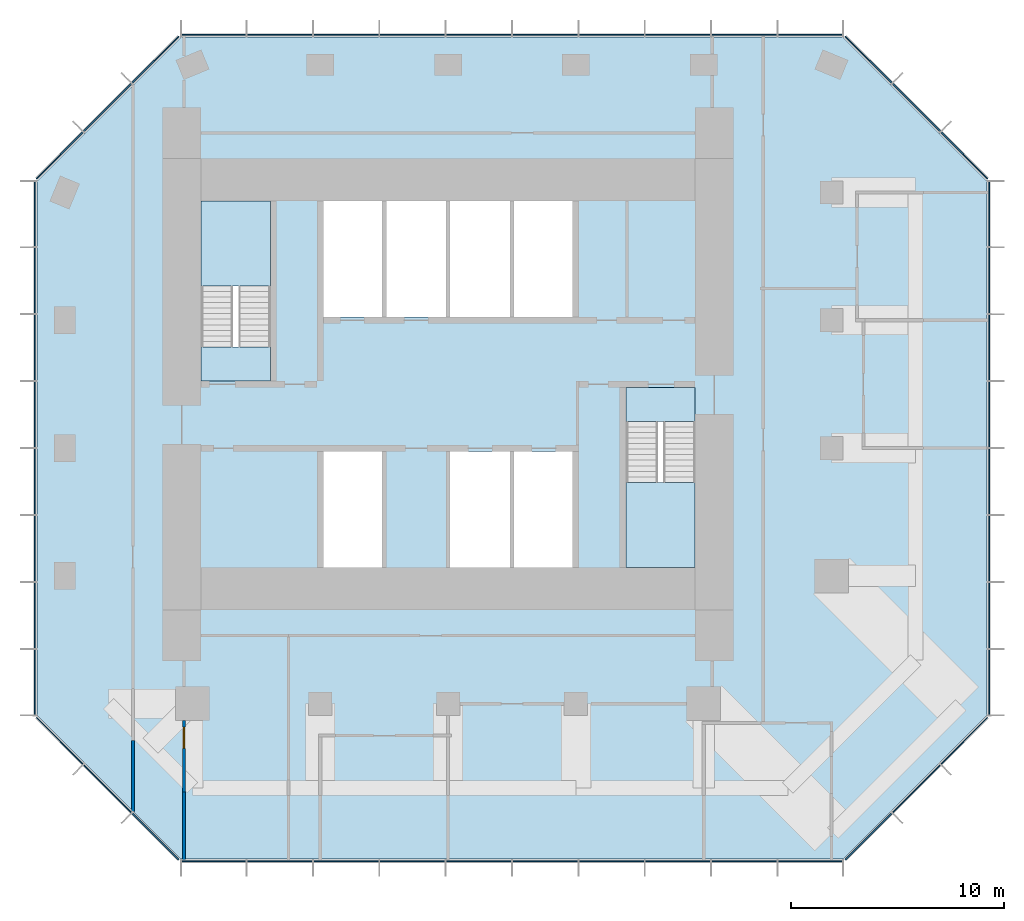
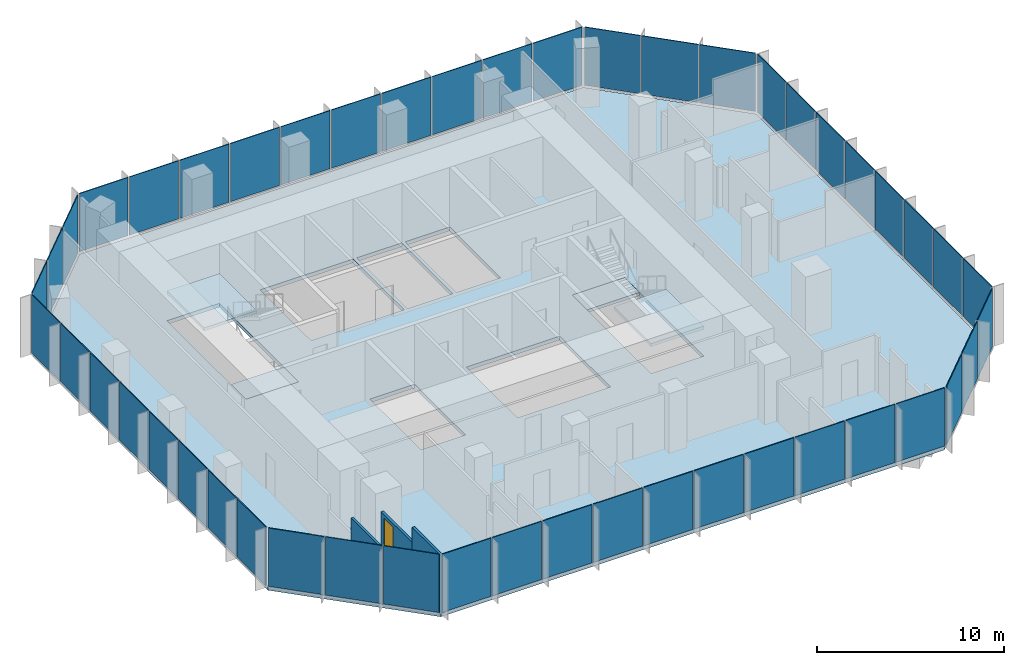
# One storey, part 7 of 11: 48 plates, 5 slabs, 3 walls, 1 door, 1 opening, 10 elements without a shape of their own.
"""IFC4 building model written with IfcOpenShell, lengths in metres."""

import ifcopenshell
import ifcopenshell.guid

model = None  # the IFC model being written
_history = None  # IfcOwnerHistory: only IFC2X3 demands one
_inside = {}  # id of a spatial element -> (the spatial element, [elements in it])
_under = {}  # id of a project, library or spatial element -> (it, [spatial elements below it])
_declared = {}  # id of a project -> (the project, [libraries it declares])
_typed = {}  # id of a type object -> (the type object, [elements of that type])
_made_of = {}  # id of a material, layer set ... -> (it, [elements and type objects made of it])


def new_model(schema):
    """Start an empty IFC model of exactly this schema.

    Asked for "IFC4X3", IfcOpenShell would pick the latest addendum, in which some entities
    have other attributes; the version numbers below select the first issue.
    IFC2X3 requires an IfcOwnerHistory on every rooted entity: one is made here for all.
    """
    global model, _history
    if schema == "IFC4X3":
        model = ifcopenshell.file(schema_version=(4, 3, 0, 0))
    else:
        model = ifcopenshell.file(schema=schema)
    _inside.clear()
    _under.clear()
    _declared.clear()
    _typed.clear()
    _made_of.clear()
    _history = None
    if model.schema == "IFC2X3":
        org = make("IfcOrganization", Name="unknown")
        user = make(
            "IfcPersonAndOrganization",
            ThePerson=make("IfcPerson", FamilyName="unknown"),
            TheOrganization=org,
        )
        app = make(
            "IfcApplication",
            ApplicationDeveloper=org,
            Version="unknown",
            ApplicationFullName="unknown",
            ApplicationIdentifier="unknown",
        )
        _history = make(
            "IfcOwnerHistory",
            OwningUser=user,
            OwningApplication=app,
            ChangeAction="ADDED",
            CreationDate=0,
        )
    return model


def make(cls, **values):
    """One entity of the class cls with the attributes given. An attribute that is None is left unset."""
    return model.create_entity(
        cls, **{name: value for name, value in values.items() if value is not None}
    )


def rooted(cls, **values):
    """An entity with a GlobalId (a new one), such as an element, a storey or a relation."""
    return make(cls, GlobalId=ifcopenshell.guid.new(), OwnerHistory=_history, **values)


def si_unit(unit_type, name, prefix=None):
    """IfcSIUnit, for example si_unit("LENGTHUNIT", "METRE", prefix="MILLI")."""
    return make("IfcSIUnit", UnitType=unit_type, Prefix=prefix, Name=name)


def assignment(units):
    """IfcUnitAssignment: the units of a project."""
    return None if units is None else make("IfcUnitAssignment", Units=units)


def point(xyz):
    """IfcCartesianPoint."""
    return None if xyz is None else make("IfcCartesianPoint", Coordinates=xyz)


def direction(xyz):
    """IfcDirection."""
    return None if xyz is None else make("IfcDirection", DirectionRatios=xyz)


def frame(location, z_axis=None, x_axis=None):
    """IfcAxis2Placement3D, a coordinate frame: its origin and axes. An axis left out is left unset."""
    return make(
        "IfcAxis2Placement3D",
        Location=point(location),
        Axis=direction(z_axis),
        RefDirection=direction(x_axis),
    )


def frame_2d(location, x_axis=None):
    """IfcAxis2Placement2D, a coordinate frame in the plane: its origin and x axis."""
    return make(
        "IfcAxis2Placement2D", Location=point(location), RefDirection=direction(x_axis)
    )


def origin():
    """The frame at (0, 0, 0) with its axes left unset."""
    return frame((0.0, 0.0, 0.0))


def origin_2d():
    """The frame at (0, 0) in the plane with its x axis left unset."""
    return frame_2d((0.0, 0.0))


def place(relative_to, where):
    """IfcLocalPlacement: puts the frame where relative to a parent placement (None: the world)."""
    return make(
        "IfcLocalPlacement", PlacementRelTo=relative_to, RelativePlacement=where
    )


def context(
    kind, dimensions, precision=None, world=None, true_north=None, identifier=None
):
    """IfcGeometricRepresentationContext, for example the 3D "Model" context."""
    return make(
        "IfcGeometricRepresentationContext",
        ContextIdentifier=identifier,
        ContextType=kind,
        CoordinateSpaceDimension=dimensions,
        Precision=precision,
        WorldCoordinateSystem=world,
        TrueNorth=true_north,
    )


def subcontext(parent, identifier, kind, view, scale=None):
    """IfcGeometricRepresentationSubContext, for example "Body" below "Model"."""
    return make(
        "IfcGeometricRepresentationSubContext",
        ContextIdentifier=identifier,
        ContextType=kind,
        ParentContext=parent,
        TargetScale=scale,
        TargetView=view,
    )


def project(units=None, contexts=None):
    """IfcProject with its units and contexts."""
    return rooted(
        "IfcProject",
        Name="project",
        RepresentationContexts=contexts,
        UnitsInContext=assignment(units),
    )


def spatial(cls, under=None, at=None, **own):
    """A site, building, storey or space (cls), placed at a placement, below another one or the project."""
    s = rooted(cls, ObjectPlacement=at, **own)
    if under is not None:
        _under.setdefault(under.id(), (under, []))[1].append(s)
    return s


def polyline(points):
    """IfcPolyline through the points."""
    return make("IfcPolyline", Points=[point(p) for p in points])


def profile(cls, at=None, kind="AREA", **sizes):
    """A parametric profile (cls). Its sizes go by their IFC names, for example OverallWidth=200.0."""
    return make(cls, ProfileType=kind, Position=at, **sizes)


def rectangle(**sizes):
    """IfcRectangleProfileDef."""
    return profile("IfcRectangleProfileDef", **sizes)


def outline(outer, holes=None, kind="AREA"):
    """IfcArbitraryClosedProfileDef: a profile drawn as a closed curve; with holes, ...WithVoids."""
    if holes is None:
        return make("IfcArbitraryClosedProfileDef", ProfileType=kind, OuterCurve=outer)
    return make(
        "IfcArbitraryProfileDefWithVoids",
        ProfileType=kind,
        OuterCurve=outer,
        InnerCurves=holes,
    )


def extrude(swept, where, along, depth):
    """IfcExtrudedAreaSolid: the profile swept, set in the frame where, extruded along a direction by depth."""
    return make(
        "IfcExtrudedAreaSolid",
        SweptArea=swept,
        Position=where,
        ExtrudedDirection=direction(along),
        Depth=depth,
    )


def shape(context_of_items, identifier, shape_type, items):
    """IfcShapeRepresentation: the items that make up one representation, for example the "Body"."""
    return make(
        "IfcShapeRepresentation",
        ContextOfItems=context_of_items,
        RepresentationIdentifier=identifier,
        RepresentationType=shape_type,
        Items=items,
    )


def material(Name=None, Category=None):
    """IfcMaterial."""
    return make("IfcMaterial", Name=Name, Category=Category)


def layer(
    of_material, thickness, ventilated=None, Name=None, Category=None, Priority=None
):
    """IfcMaterialLayer: one layer of a wall or slab, of a material (None: an air gap)."""
    return make(
        "IfcMaterialLayer",
        Material=of_material,
        LayerThickness=thickness,
        IsVentilated=ventilated,
        Name=Name,
        Category=Category,
        Priority=Priority,
    )


def layer_set(layers, Name=None):
    """IfcMaterialLayerSet."""
    return make("IfcMaterialLayerSet", MaterialLayers=layers, LayerSetName=Name)


def made_of(thing, what):
    """Note that an element or type object is made of a material, layer set ...; save() writes the relation."""
    if what is not None:
        _made_of.setdefault(what.id(), (what, []))[1].append(thing)
    return thing


def type_object(cls, material=None, **own):
    """A type object (cls), such as IfcWallType, which elements share."""
    return made_of(rooted(cls, **own), material)


def element(
    cls,
    number,
    at=None,
    inside=None,
    cuts=None,
    type_object=None,
    material=None,
    context=None,
    identifier="Body",
    shape_type=None,
    held_by="IfcProductDefinitionShape",
    body=None,
    shapes=None,
    **own,
):
    """One element of the class cls, such as IfcWall. Its Tag is "e" and its number.

    at: its placement. inside: the storey or other place that contains it. cuts: it is an
    opening in that element (IfcRelVoidsElement). A single representation is given by context,
    identifier, shape_type and body (its items); several are given by shapes. held_by: the class
    of the entity that holds the representations. save() writes the other relations.
    """
    e = rooted(cls, Tag="e%d" % number, ObjectPlacement=at, **own)
    if body is not None:
        shapes = [shape(context, identifier, shape_type, body)]
    if shapes is not None:
        e.Representation = make(held_by, Representations=shapes)
    if inside is not None:
        _inside.setdefault(inside.id(), (inside, []))[1].append(e)
    if cuts is not None:
        rooted(
            "IfcRelVoidsElement", RelatingBuildingElement=cuts, RelatedOpeningElement=e
        )
    if type_object is not None:
        _typed.setdefault(type_object.id(), (type_object, []))[1].append(e)
    return made_of(e, material)


def fill(opening, filler):
    """IfcRelFillsElement: the door or window that sits in an opening."""
    return rooted(
        "IfcRelFillsElement",
        RelatingOpeningElement=opening,
        RelatedBuildingElement=filler,
    )


def aggregate(whole, parts):
    """IfcRelAggregates: a whole, such as a stair, and the parts it consists of."""
    return rooted("IfcRelAggregates", RelatingObject=whole, RelatedObjects=parts)


def save(model, path):
    """Write the relations noted so far, then the file.

    IfcRelAggregates (storeys below a building ...), IfcRelContainedInSpatialStructure (elements
    in a storey), IfcRelDefinesByType, IfcRelAssociatesMaterial and IfcRelDeclares: one each for
    every whole, place, type object, material and project.
    """
    for whole, parts in _under.values():
        aggregate(whole, parts)
    for where, things in _inside.values():
        rooted(
            "IfcRelContainedInSpatialStructure",
            RelatedElements=things,
            RelatingStructure=where,
        )
    for kind, things in _typed.values():
        rooted("IfcRelDefinesByType", RelatedObjects=things, RelatingType=kind)
    for what, things in _made_of.values():
        rooted("IfcRelAssociatesMaterial", RelatedObjects=things, RelatingMaterial=what)
    for by, libraries in _declared.values():
        rooted("IfcRelDeclares", RelatingContext=by, RelatedDefinitions=libraries)
    model.write(path)


model = new_model("IFC4")

# Units and contexts
model_context = context("Model", 3, precision=1e-05, world=origin(), true_north=direction((0.0, 1.0)))
body_context = subcontext(model_context, "Body", "Model", "MODEL_VIEW")
ifc_project = project(units=[si_unit("LENGTHUNIT", "METRE"), si_unit("AREAUNIT", "SQUARE_METRE"), si_unit("VOLUMEUNIT", "CUBIC_METRE"), si_unit("PLANEANGLEUNIT", "RADIAN"), si_unit("MASSUNIT", "GRAM", prefix="KILO")], contexts=[model_context])

# Site, building, storey
site_placement = place(None, origin())
site = spatial("IfcSite", under=ifc_project, at=site_placement, CompositionType="ELEMENT")
building_placement = place(site_placement, origin())
building = spatial("IfcBuilding", under=site, at=building_placement, Name="Highveld Stack Headquarters", CompositionType="ELEMENT")
storey_placement = place(building_placement, frame((0.0, 0.0, 287.89990234375)))
storey = spatial("IfcBuildingStorey", under=building, at=storey_placement, Name="L71", CompositionType="ELEMENT", Elevation=287.89990234375)

# Curtain wall, plates
ifc_material_1 = material(Name="Aluminium bronze anodised", Category="aluminium")
ifc_layer_1 = layer(ifc_material_1, 0.199951171875)
ifc_layer_set_1 = layer_set([ifc_layer_1], Name="Aluminium bronze anodised")
curtain_wall_type = type_object("IfcCurtainWallType", Name="CW5 EXECUTIVE UNITISED CURTAIN WALL", PredefinedType="NOTDEFINED", material=ifc_layer_set_1)
curtain_wall_1_placement = place(storey_placement, origin())
curtain_wall_1 = element("IfcCurtainWall", 1, at=curtain_wall_1_placement, inside=storey, type_object=curtain_wall_type, Name="Curtain wall CW5 L71 S", PredefinedType="NOTDEFINED")
ifc_material_2 = material(Name="Glass bronze tinted triple glazed unit", Category="glass")
ifc_layer_2 = layer(ifc_material_2, 0.050048828125)
ifc_layer_set_2 = layer_set([ifc_layer_2], Name="Glass bronze tinted triple glazed unit")
plate_type = type_object("IfcPlateType", Name="CW5 PANEL BRONZE TINTED TRIPLE GLAZED UNIT", PredefinedType="CURTAIN_PANEL", material=ifc_layer_set_2)
plate_1_placement = place(storey_placement, frame((-5.005615234375, -19.39990234375, 0.10009765625), z_axis=(0.0, 0.0, 1.0), x_axis=(1.0, 0.0, 0.0)))
plate_1 = element("IfcPlate", 2, at=plate_1_placement, type_object=plate_type, Name="CW5 panel L71 1.1", PredefinedType="CURTAIN_PANEL", context=body_context, shape_type="SweptSolid", body=[
    extrude(rectangle(XDim=3.0185546875, YDim=0.050048828125, at=origin_2d()), origin(), (0.0, 0.0, 1.0), 3.800048828125),
])
plate_2_placement = place(storey_placement, frame((-1.906005859375, -19.39990234375, 0.10009765625), z_axis=(0.0, 0.0, 1.0), x_axis=(1.0, 0.0, 0.0)))
plate_2 = element("IfcPlate", 3, at=plate_2_placement, type_object=plate_type, Name="CW5 panel L71 2.1", PredefinedType="CURTAIN_PANEL", context=body_context, shape_type="SweptSolid", body=[
    extrude(rectangle(XDim=3.051025390625, YDim=0.050048828125, at=origin_2d()), origin(), (0.0, 0.0, 1.0), 3.800048828125),
])
plate_3_placement = place(storey_placement, frame((1.2099609375, -19.39990234375, 0.10009765625), z_axis=(0.0, 0.0, 1.0), x_axis=(1.0, 0.0, 0.0)))
plate_3 = element("IfcPlate", 4, at=plate_3_placement, type_object=plate_type, Name="CW5 panel L71 3.1", PredefinedType="CURTAIN_PANEL", context=body_context, shape_type="SweptSolid", body=[
    extrude(rectangle(XDim=3.051025390625, YDim=0.050048828125, at=origin_2d()), origin(), (0.0, 0.0, 1.0), 3.800048828125),
])
plate_4_placement = place(storey_placement, frame((4.325927734375, -19.39990234375, 0.10009765625), z_axis=(0.0, 0.0, 1.0), x_axis=(1.0, 0.0, 0.0)))
plate_4 = element("IfcPlate", 5, at=plate_4_placement, type_object=plate_type, Name="CW5 panel L71 4.1", PredefinedType="CURTAIN_PANEL", context=body_context, shape_type="SweptSolid", body=[
    extrude(rectangle(XDim=3.051025390625, YDim=0.050048828125, at=origin_2d()), origin(), (0.0, 0.0, 1.0), 3.800048828125),
])
plate_5_placement = place(storey_placement, frame((7.44189453125, -19.39990234375, 0.10009765625), z_axis=(0.0, 0.0, 1.0), x_axis=(1.0, 0.0, 0.0)))
plate_5 = element("IfcPlate", 6, at=plate_5_placement, type_object=plate_type, Name="CW5 panel L71 5.1", PredefinedType="CURTAIN_PANEL", context=body_context, shape_type="SweptSolid", body=[
    extrude(rectangle(XDim=3.051025390625, YDim=0.050048828125, at=origin_2d()), origin(), (0.0, 0.0, 1.0), 3.800048828125),
])
plate_6_placement = place(storey_placement, frame((10.55810546875, -19.39990234375, 0.10009765625), z_axis=(0.0, 0.0, 1.0), x_axis=(1.0, 0.0, 0.0)))
plate_6 = element("IfcPlate", 7, at=plate_6_placement, type_object=plate_type, Name="CW5 panel L71 6.1", PredefinedType="CURTAIN_PANEL", context=body_context, shape_type="SweptSolid", body=[
    extrude(rectangle(XDim=3.051025390625, YDim=0.050048828125, at=origin_2d()), origin(), (0.0, 0.0, 1.0), 3.800048828125),
])
plate_7_placement = place(storey_placement, frame((13.674072265625, -19.39990234375, 0.10009765625), z_axis=(0.0, 0.0, 1.0), x_axis=(1.0, 0.0, 0.0)))
plate_7 = element("IfcPlate", 8, at=plate_7_placement, type_object=plate_type, Name="CW5 panel L71 7.1", PredefinedType="CURTAIN_PANEL", context=body_context, shape_type="SweptSolid", body=[
    extrude(rectangle(XDim=3.051025390625, YDim=0.050048828125, at=origin_2d()), origin(), (0.0, 0.0, 1.0), 3.800048828125),
])
plate_8_placement = place(storey_placement, frame((16.789794921875, -19.39990234375, 0.10009765625), z_axis=(0.0, 0.0, 1.0), x_axis=(1.0, 0.0, 0.0)))
plate_8 = element("IfcPlate", 9, at=plate_8_placement, type_object=plate_type, Name="CW5 panel L71 8.1", PredefinedType="CURTAIN_PANEL", context=body_context, shape_type="SweptSolid", body=[
    extrude(rectangle(XDim=3.051025390625, YDim=0.050048828125, at=origin_2d()), origin(), (0.0, 0.0, 1.0), 3.800048828125),
])
plate_9_placement = place(storey_placement, frame((19.906005859375, -19.39990234375, 0.10009765625), z_axis=(0.0, 0.0, 1.0), x_axis=(1.0, 0.0, 0.0)))
plate_9 = element("IfcPlate", 10, at=plate_9_placement, type_object=plate_type, Name="CW5 panel L71 9.1", PredefinedType="CURTAIN_PANEL", context=body_context, shape_type="SweptSolid", body=[
    extrude(rectangle(XDim=3.051025390625, YDim=0.050048828125, at=origin_2d()), origin(), (0.0, 0.0, 1.0), 3.800048828125),
])
plate_10_placement = place(storey_placement, frame((23.005615234375, -19.39990234375, 0.10009765625), z_axis=(0.0, 0.0, 1.0), x_axis=(1.0, 0.0, 0.0)))
plate_10 = element("IfcPlate", 11, at=plate_10_placement, type_object=plate_type, Name="CW5 panel L71 10.1", PredefinedType="CURTAIN_PANEL", context=body_context, shape_type="SweptSolid", body=[
    extrude(rectangle(XDim=3.0185546875, YDim=0.050048828125, at=origin_2d()), origin(), (0.0, 0.0, 1.0), 3.800048828125),
])
aggregate(curtain_wall_1, [plate_1, plate_2, plate_3, plate_4, plate_5, plate_6, plate_7, plate_8, plate_9, plate_10])

curtain_wall_2_placement = place(storey_placement, origin())
curtain_wall_2 = element("IfcCurtainWall", 12, at=curtain_wall_2_placement, inside=storey, type_object=curtain_wall_type, Name="Curtain wall CW5 L71 SE", PredefinedType="NOTDEFINED")
plate_11_placement = place(storey_placement, frame((25.740478515625, -18.239501953125, 0.10009765625), z_axis=(0.0, 0.0, 1.0), x_axis=(0.707106781187, 0.707106781187, 0.0)))
plate_11 = element("IfcPlate", 13, at=plate_11_placement, type_object=plate_type, Name="CW5 panel L71 1.1", PredefinedType="CURTAIN_PANEL", context=body_context, shape_type="SweptSolid", body=[
    extrude(rectangle(XDim=3.08251953125, YDim=0.050048828125, at=origin_2d()), origin(), (0.0, 0.0, 1.0), 3.800048828125),
])
plate_12_placement = place(storey_placement, frame((27.989990234375, -15.989990234375, 0.10009765625), z_axis=(0.0, 0.0, 1.0), x_axis=(0.707106781187, 0.707106781187, 0.0)))
plate_12 = element("IfcPlate", 14, at=plate_12_placement, type_object=plate_type, Name="CW5 panel L71 2.1", PredefinedType="CURTAIN_PANEL", context=body_context, shape_type="SweptSolid", body=[
    extrude(rectangle(XDim=3.14990234375, YDim=0.050048828125, at=origin_2d()), origin(), (0.0, 0.0, 1.0), 3.800048828125),
])
plate_13_placement = place(storey_placement, frame((30.239501953125, -13.740478515625, 0.10009765625), z_axis=(0.0, 0.0, 1.0), x_axis=(0.707106781187, 0.707106781187, 0.0)))
plate_13 = element("IfcPlate", 15, at=plate_13_placement, type_object=plate_type, Name="CW5 panel L71 3.1", PredefinedType="CURTAIN_PANEL", context=body_context, shape_type="SweptSolid", body=[
    extrude(rectangle(XDim=3.08251953125, YDim=0.050048828125, at=origin_2d()), origin(), (0.0, 0.0, 1.0), 3.800048828125),
])
aggregate(curtain_wall_2, [plate_11, plate_12, plate_13])

curtain_wall_3_placement = place(storey_placement, origin())
curtain_wall_3 = element("IfcCurtainWall", 16, at=curtain_wall_3_placement, inside=storey, type_object=curtain_wall_type, Name="Curtain wall CW5 L71 E", PredefinedType="NOTDEFINED")
plate_14_placement = place(storey_placement, frame((31.39990234375, -10.9912109375, 0.10009765625), z_axis=(0.0, 0.0, 1.0), x_axis=(0.0, 1.0, 0.0)))
plate_14 = element("IfcPlate", 17, at=plate_14_placement, type_object=plate_type, Name="CW5 panel L71 1.1", PredefinedType="CURTAIN_PANEL", context=body_context, shape_type="SweptSolid", body=[
    extrude(rectangle(XDim=3.047607421875, YDim=0.050048828125, at=origin_2d()), origin(), (0.0, 0.0, 1.0), 3.800048828125),
])
plate_15_placement = place(storey_placement, frame((31.39990234375, -7.8623046875, 0.10009765625), z_axis=(0.0, 0.0, 1.0), x_axis=(0.0, 1.0, 0.0)))
plate_15 = element("IfcPlate", 18, at=plate_15_placement, type_object=plate_type, Name="CW5 panel L71 2.1", PredefinedType="CURTAIN_PANEL", context=body_context, shape_type="SweptSolid", body=[
    extrude(rectangle(XDim=3.080078125, YDim=0.050048828125, at=origin_2d()), origin(), (0.0, 0.0, 1.0), 3.800048828125),
])
plate_16_placement = place(storey_placement, frame((31.39990234375, -4.717529296875, 0.10009765625), z_axis=(0.0, 0.0, 1.0), x_axis=(0.0, 1.0, 0.0)))
plate_16 = element("IfcPlate", 19, at=plate_16_placement, type_object=plate_type, Name="CW5 panel L71 3.1", PredefinedType="CURTAIN_PANEL", context=body_context, shape_type="SweptSolid", body=[
    extrude(rectangle(XDim=3.080078125, YDim=0.050048828125, at=origin_2d()), origin(), (0.0, 0.0, 1.0), 3.800048828125),
])
plate_17_placement = place(storey_placement, frame((31.39990234375, -1.572509765625, 0.10009765625), z_axis=(0.0, 0.0, 1.0), x_axis=(0.0, 1.0, 0.0)))
plate_17 = element("IfcPlate", 20, at=plate_17_placement, type_object=plate_type, Name="CW5 panel L71 4.1", PredefinedType="CURTAIN_PANEL", context=body_context, shape_type="SweptSolid", body=[
    extrude(rectangle(XDim=3.080078125, YDim=0.050048828125, at=origin_2d()), origin(), (0.0, 0.0, 1.0), 3.800048828125),
])
plate_18_placement = place(storey_placement, frame((31.39990234375, 1.572509765625, 0.10009765625), z_axis=(0.0, 0.0, 1.0), x_axis=(0.0, 1.0, 0.0)))
plate_18 = element("IfcPlate", 21, at=plate_18_placement, type_object=plate_type, Name="CW5 panel L71 5.1", PredefinedType="CURTAIN_PANEL", context=body_context, shape_type="SweptSolid", body=[
    extrude(rectangle(XDim=3.080078125, YDim=0.050048828125, at=origin_2d()), origin(), (0.0, 0.0, 1.0), 3.800048828125),
])
plate_19_placement = place(storey_placement, frame((31.39990234375, 4.717529296875, 0.10009765625), z_axis=(0.0, 0.0, 1.0), x_axis=(0.0, 1.0, 0.0)))
plate_19 = element("IfcPlate", 22, at=plate_19_placement, type_object=plate_type, Name="CW5 panel L71 6.1", PredefinedType="CURTAIN_PANEL", context=body_context, shape_type="SweptSolid", body=[
    extrude(rectangle(XDim=3.080078125, YDim=0.050048828125, at=origin_2d()), origin(), (0.0, 0.0, 1.0), 3.800048828125),
])
plate_20_placement = place(storey_placement, frame((31.39990234375, 7.8623046875, 0.10009765625), z_axis=(0.0, 0.0, 1.0), x_axis=(0.0, 1.0, 0.0)))
plate_20 = element("IfcPlate", 23, at=plate_20_placement, type_object=plate_type, Name="CW5 panel L71 7.1", PredefinedType="CURTAIN_PANEL", context=body_context, shape_type="SweptSolid", body=[
    extrude(rectangle(XDim=3.080078125, YDim=0.050048828125, at=origin_2d()), origin(), (0.0, 0.0, 1.0), 3.800048828125),
])
plate_21_placement = place(storey_placement, frame((31.39990234375, 10.9912109375, 0.10009765625), z_axis=(0.0, 0.0, 1.0), x_axis=(0.0, 1.0, 0.0)))
plate_21 = element("IfcPlate", 24, at=plate_21_placement, type_object=plate_type, Name="CW5 panel L71 8.1", PredefinedType="CURTAIN_PANEL", context=body_context, shape_type="SweptSolid", body=[
    extrude(rectangle(XDim=3.047607421875, YDim=0.050048828125, at=origin_2d()), origin(), (0.0, 0.0, 1.0), 3.800048828125),
])
aggregate(curtain_wall_3, [plate_14, plate_15, plate_16, plate_17, plate_18, plate_19, plate_20, plate_21])

curtain_wall_4_placement = place(storey_placement, origin())
curtain_wall_4 = element("IfcCurtainWall", 25, at=curtain_wall_4_placement, inside=storey, type_object=curtain_wall_type, Name="Curtain wall CW5 L71 NE", PredefinedType="NOTDEFINED")
plate_22_placement = place(storey_placement, frame((30.239501953125, 13.740478515625, 0.10009765625), z_axis=(0.0, 0.0, 1.0), x_axis=(-0.707106781187, 0.707106781187, 0.0)))
plate_22 = element("IfcPlate", 26, at=plate_22_placement, type_object=plate_type, Name="CW5 panel L71 1.1", PredefinedType="CURTAIN_PANEL", context=body_context, shape_type="SweptSolid", body=[
    extrude(rectangle(XDim=3.08251953125, YDim=0.050048828125, at=origin_2d()), origin(), (0.0, 0.0, 1.0), 3.800048828125),
])
plate_23_placement = place(storey_placement, frame((27.989990234375, 15.989990234375, 0.10009765625), z_axis=(0.0, 0.0, 1.0), x_axis=(-0.707106781187, 0.707106781187, 0.0)))
plate_23 = element("IfcPlate", 27, at=plate_23_placement, type_object=plate_type, Name="CW5 panel L71 2.1", PredefinedType="CURTAIN_PANEL", context=body_context, shape_type="SweptSolid", body=[
    extrude(rectangle(XDim=3.14990234375, YDim=0.050048828125, at=origin_2d()), origin(), (0.0, 0.0, 1.0), 3.800048828125),
])
plate_24_placement = place(storey_placement, frame((25.740478515625, 18.239501953125, 0.10009765625), z_axis=(0.0, 0.0, 1.0), x_axis=(-0.707106781187, 0.707106781187, 0.0)))
plate_24 = element("IfcPlate", 28, at=plate_24_placement, type_object=plate_type, Name="CW5 panel L71 3.1", PredefinedType="CURTAIN_PANEL", context=body_context, shape_type="SweptSolid", body=[
    extrude(rectangle(XDim=3.08251953125, YDim=0.050048828125, at=origin_2d()), origin(), (0.0, 0.0, 1.0), 3.800048828125),
])
aggregate(curtain_wall_4, [plate_22, plate_23, plate_24])

curtain_wall_5_placement = place(storey_placement, origin())
curtain_wall_5 = element("IfcCurtainWall", 29, at=curtain_wall_5_placement, inside=storey, type_object=curtain_wall_type, Name="Curtain wall CW5 L71 N", PredefinedType="NOTDEFINED")
plate_25_placement = place(storey_placement, frame((23.005615234375, 19.39990234375, 0.10009765625), z_axis=(0.0, 0.0, 1.0), x_axis=(-1.0, 0.0, 0.0)))
plate_25 = element("IfcPlate", 30, at=plate_25_placement, type_object=plate_type, Name="CW5 panel L71 1.1", PredefinedType="CURTAIN_PANEL", context=body_context, shape_type="SweptSolid", body=[
    extrude(rectangle(XDim=3.0185546875, YDim=0.050048828125, at=origin_2d()), origin(), (0.0, 0.0, 1.0), 3.800048828125),
])
plate_26_placement = place(storey_placement, frame((19.906005859375, 19.39990234375, 0.10009765625), z_axis=(0.0, 0.0, 1.0), x_axis=(-1.0, 0.0, 0.0)))
plate_26 = element("IfcPlate", 31, at=plate_26_placement, type_object=plate_type, Name="CW5 panel L71 2.1", PredefinedType="CURTAIN_PANEL", context=body_context, shape_type="SweptSolid", body=[
    extrude(rectangle(XDim=3.051025390625, YDim=0.050048828125, at=origin_2d()), origin(), (0.0, 0.0, 1.0), 3.800048828125),
])
plate_27_placement = place(storey_placement, frame((16.7900390625, 19.39990234375, 0.10009765625), z_axis=(0.0, 0.0, 1.0), x_axis=(-1.0, 0.0, 0.0)))
plate_27 = element("IfcPlate", 32, at=plate_27_placement, type_object=plate_type, Name="CW5 panel L71 3.1", PredefinedType="CURTAIN_PANEL", context=body_context, shape_type="SweptSolid", body=[
    extrude(rectangle(XDim=3.051025390625, YDim=0.050048828125, at=origin_2d()), origin(), (0.0, 0.0, 1.0), 3.800048828125),
])
plate_28_placement = place(storey_placement, frame((13.674072265625, 19.39990234375, 0.10009765625), z_axis=(0.0, 0.0, 1.0), x_axis=(-1.0, 0.0, 0.0)))
plate_28 = element("IfcPlate", 33, at=plate_28_placement, type_object=plate_type, Name="CW5 panel L71 4.1", PredefinedType="CURTAIN_PANEL", context=body_context, shape_type="SweptSolid", body=[
    extrude(rectangle(XDim=3.051025390625, YDim=0.050048828125, at=origin_2d()), origin(), (0.0, 0.0, 1.0), 3.800048828125),
])
plate_29_placement = place(storey_placement, frame((10.55810546875, 19.39990234375, 0.10009765625), z_axis=(0.0, 0.0, 1.0), x_axis=(-1.0, 0.0, 0.0)))
plate_29 = element("IfcPlate", 34, at=plate_29_placement, type_object=plate_type, Name="CW5 panel L71 5.1", PredefinedType="CURTAIN_PANEL", context=body_context, shape_type="SweptSolid", body=[
    extrude(rectangle(XDim=3.051025390625, YDim=0.050048828125, at=origin_2d()), origin(), (0.0, 0.0, 1.0), 3.800048828125),
])
plate_30_placement = place(storey_placement, frame((7.44189453125, 19.39990234375, 0.10009765625), z_axis=(0.0, 0.0, 1.0), x_axis=(-1.0, 0.0, 0.0)))
plate_30 = element("IfcPlate", 35, at=plate_30_placement, type_object=plate_type, Name="CW5 panel L71 6.1", PredefinedType="CURTAIN_PANEL", context=body_context, shape_type="SweptSolid", body=[
    extrude(rectangle(XDim=3.051025390625, YDim=0.050048828125, at=origin_2d()), origin(), (0.0, 0.0, 1.0), 3.800048828125),
])
plate_31_placement = place(storey_placement, frame((4.325927734375, 19.39990234375, 0.10009765625), z_axis=(0.0, 0.0, 1.0), x_axis=(-1.0, 0.0, 0.0)))
plate_31 = element("IfcPlate", 36, at=plate_31_placement, type_object=plate_type, Name="CW5 panel L71 7.1", PredefinedType="CURTAIN_PANEL", context=body_context, shape_type="SweptSolid", body=[
    extrude(rectangle(XDim=3.051025390625, YDim=0.050048828125, at=origin_2d()), origin(), (0.0, 0.0, 1.0), 3.800048828125),
])
plate_32_placement = place(storey_placement, frame((1.210205078125, 19.39990234375, 0.10009765625), z_axis=(0.0, 0.0, 1.0), x_axis=(-1.0, 0.0, 0.0)))
plate_32 = element("IfcPlate", 37, at=plate_32_placement, type_object=plate_type, Name="CW5 panel L71 8.1", PredefinedType="CURTAIN_PANEL", context=body_context, shape_type="SweptSolid", body=[
    extrude(rectangle(XDim=3.051025390625, YDim=0.050048828125, at=origin_2d()), origin(), (0.0, 0.0, 1.0), 3.800048828125),
])
plate_33_placement = place(storey_placement, frame((-1.906005859375, 19.39990234375, 0.10009765625), z_axis=(0.0, 0.0, 1.0), x_axis=(-1.0, 0.0, 0.0)))
plate_33 = element("IfcPlate", 38, at=plate_33_placement, type_object=plate_type, Name="CW5 panel L71 9.1", PredefinedType="CURTAIN_PANEL", context=body_context, shape_type="SweptSolid", body=[
    extrude(rectangle(XDim=3.051025390625, YDim=0.050048828125, at=origin_2d()), origin(), (0.0, 0.0, 1.0), 3.800048828125),
])
plate_34_placement = place(storey_placement, frame((-5.005615234375, 19.39990234375, 0.10009765625), z_axis=(0.0, 0.0, 1.0), x_axis=(-1.0, 0.0, 0.0)))
plate_34 = element("IfcPlate", 39, at=plate_34_placement, type_object=plate_type, Name="CW5 panel L71 10.1", PredefinedType="CURTAIN_PANEL", context=body_context, shape_type="SweptSolid", body=[
    extrude(rectangle(XDim=3.0185546875, YDim=0.050048828125, at=origin_2d()), origin(), (0.0, 0.0, 1.0), 3.800048828125),
])
aggregate(curtain_wall_5, [plate_25, plate_26, plate_27, plate_28, plate_29, plate_30, plate_31, plate_32, plate_33, plate_34])

curtain_wall_6_placement = place(storey_placement, origin())
curtain_wall_6 = element("IfcCurtainWall", 40, at=curtain_wall_6_placement, inside=storey, type_object=curtain_wall_type, Name="Curtain wall CW5 L71 NW", PredefinedType="NOTDEFINED")
plate_35_placement = place(storey_placement, frame((-7.740478515625, 18.239501953125, 0.10009765625), z_axis=(0.0, 0.0, 1.0), x_axis=(-0.707106781187, -0.707106781187, 0.0)))
plate_35 = element("IfcPlate", 41, at=plate_35_placement, type_object=plate_type, Name="CW5 panel L71 1.1", PredefinedType="CURTAIN_PANEL", context=body_context, shape_type="SweptSolid", body=[
    extrude(rectangle(XDim=3.08251953125, YDim=0.050048828125, at=origin_2d()), origin(), (0.0, 0.0, 1.0), 3.800048828125),
])
plate_36_placement = place(storey_placement, frame((-9.989990234375, 15.989990234375, 0.10009765625), z_axis=(0.0, 0.0, 1.0), x_axis=(-0.707106781187, -0.707106781187, 0.0)))
plate_36 = element("IfcPlate", 42, at=plate_36_placement, type_object=plate_type, Name="CW5 panel L71 2.1", PredefinedType="CURTAIN_PANEL", context=body_context, shape_type="SweptSolid", body=[
    extrude(rectangle(XDim=3.14990234375, YDim=0.050048828125, at=origin_2d()), origin(), (0.0, 0.0, 1.0), 3.800048828125),
])
plate_37_placement = place(storey_placement, frame((-12.239501953125, 13.740478515625, 0.10009765625), z_axis=(0.0, 0.0, 1.0), x_axis=(-0.707106781187, -0.707106781187, 0.0)))
plate_37 = element("IfcPlate", 43, at=plate_37_placement, type_object=plate_type, Name="CW5 panel L71 3.1", PredefinedType="CURTAIN_PANEL", context=body_context, shape_type="SweptSolid", body=[
    extrude(rectangle(XDim=3.08251953125, YDim=0.050048828125, at=origin_2d()), origin(), (0.0, 0.0, 1.0), 3.800048828125),
])
aggregate(curtain_wall_6, [plate_35, plate_36, plate_37])

curtain_wall_7_placement = place(storey_placement, origin())
curtain_wall_7 = element("IfcCurtainWall", 44, at=curtain_wall_7_placement, inside=storey, type_object=curtain_wall_type, Name="Curtain wall CW5 L71 W", PredefinedType="NOTDEFINED")
plate_38_placement = place(storey_placement, frame((-13.39990234375, 10.9912109375, 0.10009765625), z_axis=(0.0, 0.0, 1.0), x_axis=(0.0, -1.0, 0.0)))
plate_38 = element("IfcPlate", 45, at=plate_38_placement, type_object=plate_type, Name="CW5 panel L71 1.1", PredefinedType="CURTAIN_PANEL", context=body_context, shape_type="SweptSolid", body=[
    extrude(rectangle(XDim=3.047607421875, YDim=0.050048828125, at=origin_2d()), origin(), (0.0, 0.0, 1.0), 3.800048828125),
])
plate_39_placement = place(storey_placement, frame((-13.39990234375, 7.8623046875, 0.10009765625), z_axis=(0.0, 0.0, 1.0), x_axis=(0.0, -1.0, 0.0)))
plate_39 = element("IfcPlate", 46, at=plate_39_placement, type_object=plate_type, Name="CW5 panel L71 2.1", PredefinedType="CURTAIN_PANEL", context=body_context, shape_type="SweptSolid", body=[
    extrude(rectangle(XDim=3.080078125, YDim=0.050048828125, at=origin_2d()), origin(), (0.0, 0.0, 1.0), 3.800048828125),
])
plate_40_placement = place(storey_placement, frame((-13.39990234375, 4.717529296875, 0.10009765625), z_axis=(0.0, 0.0, 1.0), x_axis=(0.0, -1.0, 0.0)))
plate_40 = element("IfcPlate", 47, at=plate_40_placement, type_object=plate_type, Name="CW5 panel L71 3.1", PredefinedType="CURTAIN_PANEL", context=body_context, shape_type="SweptSolid", body=[
    extrude(rectangle(XDim=3.080078125, YDim=0.050048828125, at=origin_2d()), origin(), (0.0, 0.0, 1.0), 3.800048828125),
])
plate_41_placement = place(storey_placement, frame((-13.39990234375, 1.572509765625, 0.10009765625), z_axis=(0.0, 0.0, 1.0), x_axis=(0.0, -1.0, 0.0)))
plate_41 = element("IfcPlate", 48, at=plate_41_placement, type_object=plate_type, Name="CW5 panel L71 4.1", PredefinedType="CURTAIN_PANEL", context=body_context, shape_type="SweptSolid", body=[
    extrude(rectangle(XDim=3.080078125, YDim=0.050048828125, at=origin_2d()), origin(), (0.0, 0.0, 1.0), 3.800048828125),
])
plate_42_placement = place(storey_placement, frame((-13.39990234375, -1.572509765625, 0.10009765625), z_axis=(0.0, 0.0, 1.0), x_axis=(0.0, -1.0, 0.0)))
plate_42 = element("IfcPlate", 49, at=plate_42_placement, type_object=plate_type, Name="CW5 panel L71 5.1", PredefinedType="CURTAIN_PANEL", context=body_context, shape_type="SweptSolid", body=[
    extrude(rectangle(XDim=3.080078125, YDim=0.050048828125, at=origin_2d()), origin(), (0.0, 0.0, 1.0), 3.800048828125),
])
plate_43_placement = place(storey_placement, frame((-13.39990234375, -4.717529296875, 0.10009765625), z_axis=(0.0, 0.0, 1.0), x_axis=(0.0, -1.0, 0.0)))
plate_43 = element("IfcPlate", 50, at=plate_43_placement, type_object=plate_type, Name="CW5 panel L71 6.1", PredefinedType="CURTAIN_PANEL", context=body_context, shape_type="SweptSolid", body=[
    extrude(rectangle(XDim=3.080078125, YDim=0.050048828125, at=origin_2d()), origin(), (0.0, 0.0, 1.0), 3.800048828125),
])
plate_44_placement = place(storey_placement, frame((-13.39990234375, -7.8623046875, 0.10009765625), z_axis=(0.0, 0.0, 1.0), x_axis=(0.0, -1.0, 0.0)))
plate_44 = element("IfcPlate", 51, at=plate_44_placement, type_object=plate_type, Name="CW5 panel L71 7.1", PredefinedType="CURTAIN_PANEL", context=body_context, shape_type="SweptSolid", body=[
    extrude(rectangle(XDim=3.080078125, YDim=0.050048828125, at=origin_2d()), origin(), (0.0, 0.0, 1.0), 3.800048828125),
])
plate_45_placement = place(storey_placement, frame((-13.39990234375, -10.9912109375, 0.10009765625), z_axis=(0.0, 0.0, 1.0), x_axis=(0.0, -1.0, 0.0)))
plate_45 = element("IfcPlate", 52, at=plate_45_placement, type_object=plate_type, Name="CW5 panel L71 8.1", PredefinedType="CURTAIN_PANEL", context=body_context, shape_type="SweptSolid", body=[
    extrude(rectangle(XDim=3.047607421875, YDim=0.050048828125, at=origin_2d()), origin(), (0.0, 0.0, 1.0), 3.800048828125),
])
aggregate(curtain_wall_7, [plate_38, plate_39, plate_40, plate_41, plate_42, plate_43, plate_44, plate_45])

curtain_wall_8_placement = place(storey_placement, origin())
curtain_wall_8 = element("IfcCurtainWall", 53, at=curtain_wall_8_placement, inside=storey, type_object=curtain_wall_type, Name="Curtain wall CW5 L71 SW", PredefinedType="NOTDEFINED")
plate_46_placement = place(storey_placement, frame((-12.239501953125, -13.740478515625, 0.10009765625), z_axis=(0.0, 0.0, 1.0), x_axis=(0.707106781187, -0.707106781187, 0.0)))
plate_46 = element("IfcPlate", 54, at=plate_46_placement, type_object=plate_type, Name="CW5 panel L71 1.1", PredefinedType="CURTAIN_PANEL", context=body_context, shape_type="SweptSolid", body=[
    extrude(rectangle(XDim=3.08251953125, YDim=0.050048828125, at=origin_2d()), origin(), (0.0, 0.0, 1.0), 3.800048828125),
])
plate_47_placement = place(storey_placement, frame((-9.989990234375, -15.989990234375, 0.10009765625), z_axis=(0.0, 0.0, 1.0), x_axis=(0.707106781187, -0.707106781187, 0.0)))
plate_47 = element("IfcPlate", 55, at=plate_47_placement, type_object=plate_type, Name="CW5 panel L71 2.1", PredefinedType="CURTAIN_PANEL", context=body_context, shape_type="SweptSolid", body=[
    extrude(rectangle(XDim=3.14990234375, YDim=0.050048828125, at=origin_2d()), origin(), (0.0, 0.0, 1.0), 3.800048828125),
])
plate_48_placement = place(storey_placement, frame((-7.740478515625, -18.239501953125, 0.10009765625), z_axis=(0.0, 0.0, 1.0), x_axis=(0.707106781187, -0.707106781187, 0.0)))
plate_48 = element("IfcPlate", 56, at=plate_48_placement, type_object=plate_type, Name="CW5 panel L71 3.1", PredefinedType="CURTAIN_PANEL", context=body_context, shape_type="SweptSolid", body=[
    extrude(rectangle(XDim=3.08251953125, YDim=0.050048828125, at=origin_2d()), origin(), (0.0, 0.0, 1.0), 3.800048828125),
])
aggregate(curtain_wall_8, [plate_46, plate_47, plate_48])

# Slab
ifc_material_3 = material(Name="Concrete C60/75", Category="concrete")
ifc_layer_3 = layer(ifc_material_3, 0.25)
ifc_layer_set_3 = layer_set([ifc_layer_3], Name="Concrete C60/75")
slab_type_1 = type_object("IfcSlabType", Name="PT FLAT SLAB 250", PredefinedType="FLOOR", material=ifc_layer_set_3)
slab_1_placement = place(storey_placement, frame((0.0, 0.0, -0.25)))
element("IfcSlab", 57, at=slab_1_placement, inside=storey, type_object=slab_type_1, Name="Floor slab L71", PredefinedType="FLOOR", context=body_context, shape_type="SweptSolid", body=[
    extrude(outline(polyline([(-6.53857421875, -19.300048828125), (24.53857421875, -19.300048828125), (31.300048828125, -12.53857421875), (31.300048828125, 12.53857421875), (24.53857421875, 19.300048828125), (-6.53857421875, 19.300048828125), (-13.300048828125, 12.53857421875), (-13.300048828125, -12.53857421875), (-6.53857421875, -19.300048828125)]), holes=[polyline([(0.14990234375, 6.14990234375), (5.89990234375, 6.14990234375), (5.89990234375, 11.60009765625), (0.14990234375, 11.60009765625), (0.14990234375, 6.14990234375)]), polyline([(9.10009765625, 6.14990234375), (11.85009765625, 6.14990234375), (11.85009765625, 11.60009765625), (9.10009765625, 11.60009765625), (9.10009765625, 6.14990234375)]), polyline([(6.10009765625, 6.14990234375), (8.89990234375, 6.14990234375), (8.89990234375, 11.60009765625), (6.10009765625, 11.60009765625), (6.10009765625, 6.14990234375)]), polyline([(6.10009765625, -5.60009765625), (11.85009765625, -5.60009765625), (11.85009765625, -0.14990234375), (6.10009765625, -0.14990234375), (6.10009765625, -5.60009765625)]), polyline([(0.14990234375, -5.60009765625), (2.89990234375, -5.60009765625), (2.89990234375, -0.14990234375), (0.14990234375, -0.14990234375), (0.14990234375, -5.60009765625)]), polyline([(-5.60009765625, 3.14990234375), (-2.35009765625, 3.14990234375), (-2.35009765625, 11.60009765625), (-5.60009765625, 11.60009765625), (-5.60009765625, 3.14990234375)]), polyline([(14.35009765625, -5.60009765625), (17.60009765625, -5.60009765625), (17.60009765625, 2.85009765625), (14.35009765625, 2.85009765625), (14.35009765625, -5.60009765625)])]), origin(), (0.0, 0.0, 1.0), 0.25),
])

# Stair, slabs
ifc_material_4 = material(Name="Concrete C40/50, precast", Category="concrete")
stair_type_1 = type_object("IfcStairType", Name="STAIR S1 HALF TURN 1500", PredefinedType="HALF_TURN_STAIR", material=ifc_material_4)
stair_1_placement = place(storey_placement, origin())
stair_1 = element("IfcStair", 58, at=stair_1_placement, inside=storey, type_object=stair_type_1, Name="Stair S1 L71", PredefinedType="HALF_TURN_STAIR")
ifc_material_5 = material(Name="Concrete C40/50, precast", Category="concrete")
ifc_layer_4 = layer(ifc_material_5, 0.199951171875)
ifc_layer_set_4 = layer_set([ifc_layer_4], Name="Concrete C40/50, precast")
slab_type_2 = type_object("IfcSlabType", Name="STAIR LANDING 200", PredefinedType="LANDING", material=ifc_layer_set_4)
slab_2_placement = place(storey_placement, frame((0.0, 0.0, 1.75)))
slab_2 = element("IfcSlab", 59, at=slab_2_placement, type_object=slab_type_2, Name="S1 landing 1", PredefinedType="LANDING", context=body_context, shape_type="SweptSolid", body=[
    extrude(outline(polyline([(-5.60009765625, 7.610107421875), (-2.35009765625, 7.610107421875), (-2.35009765625, 11.60009765625), (-5.60009765625, 11.60009765625), (-5.60009765625, 7.610107421875)])), origin(), (0.0, 0.0, 1.0), 0.2001953125),
])
slab_3_placement = place(storey_placement, frame((0.0, 0.0, -0.199951171875)))
slab_3 = element("IfcSlab", 60, at=slab_3_placement, type_object=slab_type_2, Name="S1 landing 2", PredefinedType="LANDING", context=body_context, shape_type="SweptSolid", body=[
    extrude(outline(polyline([(-5.60009765625, 3.14990234375), (-2.35009765625, 3.14990234375), (-2.35009765625, 4.75), (-5.60009765625, 4.75), (-5.60009765625, 3.14990234375)])), origin(), (0.0, 0.0, 1.0), 0.199951171875),
])
aggregate(stair_1, [slab_2, slab_3])

ifc_material_6 = material(Name="Concrete C40/50, precast", Category="concrete")
stair_type_2 = type_object("IfcStairType", Name="STAIR S2 HALF TURN 1500", PredefinedType="HALF_TURN_STAIR", material=ifc_material_6)
stair_2_placement = place(storey_placement, origin())
stair_2 = element("IfcStair", 61, at=stair_2_placement, inside=storey, type_object=stair_type_2, Name="Stair S2 L71", PredefinedType="HALF_TURN_STAIR")
slab_4_placement = place(storey_placement, frame((0.0, 0.0, 1.75)))
slab_4 = element("IfcSlab", 62, at=slab_4_placement, type_object=slab_type_2, Name="S2 landing 1", PredefinedType="LANDING", context=body_context, shape_type="SweptSolid", body=[
    extrude(outline(polyline([(14.35009765625, -5.60009765625), (17.60009765625, -5.60009765625), (17.60009765625, -1.610107421875), (14.35009765625, -1.610107421875), (14.35009765625, -5.60009765625)])), origin(), (0.0, 0.0, 1.0), 0.2001953125),
])
slab_5_placement = place(storey_placement, frame((0.0, 0.0, -0.199951171875)))
slab_5 = element("IfcSlab", 63, at=slab_5_placement, type_object=slab_type_2, Name="S2 landing 2", PredefinedType="LANDING", context=body_context, shape_type="SweptSolid", body=[
    extrude(outline(polyline([(14.35009765625, 1.25), (17.60009765625, 1.25), (17.60009765625, 2.85009765625), (14.35009765625, 2.85009765625), (14.35009765625, 1.25)])), origin(), (0.0, 0.0, 1.0), 0.199951171875),
])
aggregate(stair_2, [slab_4, slab_5])

# Walls
ifc_material_7 = material(Name="Gypsum plasterboard on steel studs", Category="steel")
ifc_layer_5 = layer(ifc_material_7, 0.14990234375)
ifc_layer_set_5 = layer_set([ifc_layer_5], Name="Gypsum plasterboard on steel studs")
wall_type = type_object("IfcWallType", Name="PARTITION 150 PLASTERBOARD", PredefinedType="PARTITIONING", material=ifc_layer_set_5)
wall_1_placement = place(storey_placement, frame((-8.800048828125, -17.06298828125, 0.0), z_axis=(0.0, 0.0, 1.0), x_axis=(0.0, 1.0, 0.0)))
element("IfcWall", 64, at=wall_1_placement, inside=storey, type_object=wall_type, Name="Partition office neighbourhood L71", PredefinedType="PARTITIONING", context=body_context, shape_type="SweptSolid", body=[
    extrude(rectangle(XDim=3.322998046875, YDim=0.14990234375, at=frame_2d((1.66162109375, 0.0))), origin(), (0.0, 0.0, 1.0), 3.650146484375),
])
wall_2_placement = place(storey_placement, frame((-6.39990234375, -19.375, 0.0), z_axis=(0.0, 0.0, 1.0), x_axis=(0.0, 1.0, 0.0)))
element("IfcWall", 65, at=wall_2_placement, inside=storey, type_object=wall_type, Name="Partition office neighbourhood L71", PredefinedType="PARTITIONING", context=body_context, shape_type="SweptSolid", body=[
    extrude(rectangle(XDim=3.235107421875, YDim=0.14990234375, at=frame_2d((1.61767578125, 0.0))), origin(), (0.0, 0.0, 1.0), 3.650146484375),
])

# Wall, opening, door
wall_3_placement = place(storey_placement, frame((-6.39990234375, -16.139892578125, 0.0), z_axis=(0.0, 0.0, 1.0), x_axis=(0.0, 1.0, 0.0)))
wall_3 = element("IfcWall", 66, at=wall_3_placement, inside=storey, type_object=wall_type, Name="Partition office neighbourhood L71", PredefinedType="PARTITIONING", context=body_context, shape_type="SweptSolid", body=[
    extrude(rectangle(XDim=3.33984375, YDim=0.14990234375, at=frame_2d((1.669921875, 0.0))), origin(), (0.0, 0.0, 1.0), 2.650146484375),
])
opening_placement = place(wall_3_placement, frame((2.0400390625, 0.0, 0.0)))
opening = element("IfcOpeningElement", 67, at=opening_placement, cuts=wall_3, Name="Opening L71-16", PredefinedType="OPENING", context=body_context, shape_type="SweptSolid", body=[
    extrude(rectangle(XDim=1.0, YDim=2.39990234375, at=frame_2d((0.5, 1.199951171875))), frame((0.0, 0.0849609375, 0.0), z_axis=(0.0, -1.0, 0.0), x_axis=(1.0, 0.0, 0.0)), (0.0, 0.0, 1.0), 0.169921875),
])
ifc_material_8 = material(Name="Timber door, oiled ash", Category="wood")
door_type = type_object("IfcDoorType", Name="ROOM DOOR D11 1000x2400", OperationType="SINGLE_SWING_LEFT", PredefinedType="DOOR", material=ifc_material_8)
door_placement = place(opening_placement, origin())
door = element("IfcDoor", 68, at=door_placement, inside=storey, type_object=door_type, Name="Office neighbourhood door L71", OperationType="SINGLE_SWING_RIGHT", OverallHeight=2.39990234375, OverallWidth=1.0, PredefinedType="DOOR", context=body_context, shape_type="SweptSolid", body=[
    extrude(rectangle(XDim=1.0, YDim=2.39990234375, at=frame_2d((0.5, 1.199951171875))), frame((0.0, 0.02490234375, 0.0), z_axis=(0.0, -1.0, 0.0), x_axis=(1.0, 0.0, 0.0)), (0.0, 0.0, 1.0), 0.050048828125),
])
fill(opening, door)

save(model, "model.ifc")
